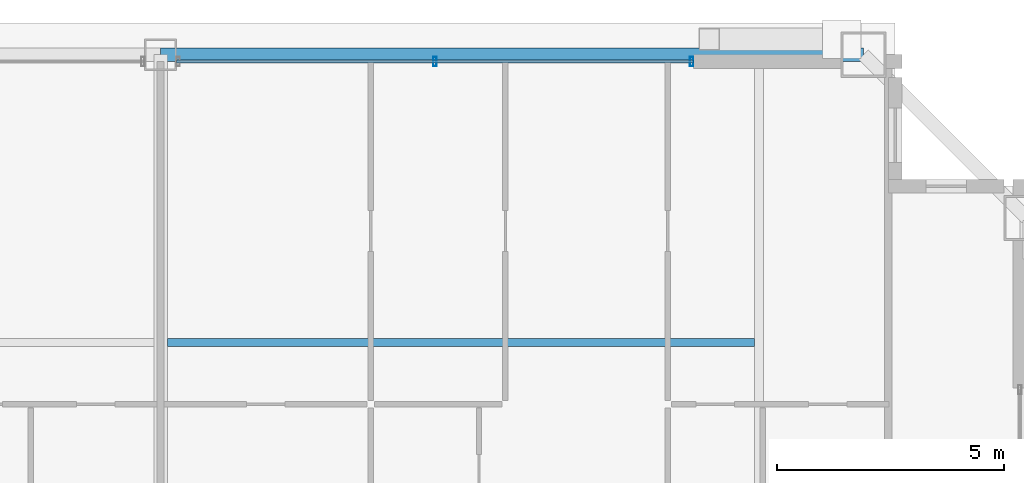
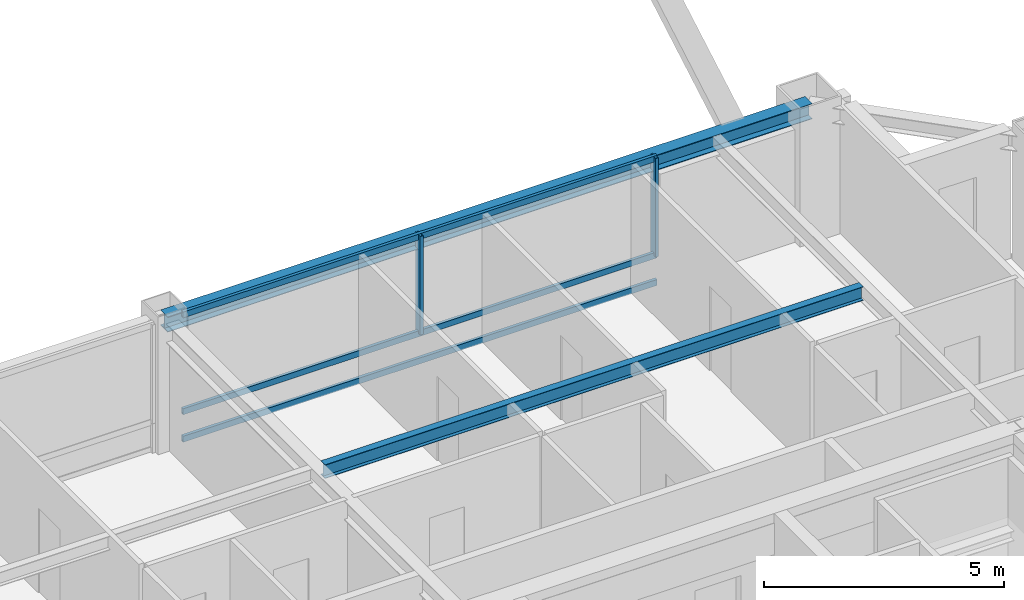
# One storey, part 18 of 35: 5 members, 2 beams, 1 element without a shape of its own.
"""IFC4 building model written with IfcOpenShell, lengths in metres."""

from ifc_helpers import new_model, si_unit, direction, frame, origin, origin_2d, place, context, subcontext, project, spatial, hollow_rectangle, i_section, extrude, source, transform, mapped, material, layer, layer_set, material_profile, profile_set, type_object, element, aggregate, save


model = new_model("IFC4")

# Units and contexts
model_context = context("Model", 3, precision=1e-05, world=origin(), true_north=direction((0.0, 1.0)))
body_context = subcontext(model_context, "Body", "Model", "MODEL_VIEW")
ifc_project = project(units=[si_unit("LENGTHUNIT", "METRE"), si_unit("AREAUNIT", "SQUARE_METRE"), si_unit("VOLUMEUNIT", "CUBIC_METRE"), si_unit("PLANEANGLEUNIT", "RADIAN"), si_unit("MASSUNIT", "GRAM", prefix="KILO"), si_unit("THERMODYNAMICTEMPERATUREUNIT", "KELVIN"), si_unit("POWERUNIT", "WATT")], contexts=[model_context])

# Site, building, storey
site_placement = place(None, origin())
site = spatial("IfcSite", under=ifc_project, at=site_placement, CompositionType="ELEMENT")
building_placement = place(site_placement, origin())
building = spatial("IfcBuilding", under=site, at=building_placement, Name="Yuzanri Waterfront Tower", CompositionType="ELEMENT")
storey_placement = place(building_placement, frame((0.0, 0.0, 335.699951171875)))
storey = spatial("IfcBuildingStorey", under=building, at=storey_placement, Name="L90", CompositionType="ELEMENT", Elevation=335.699951171875)

# Beams
ifc_material_1 = material(Name="Steel Q355B", Category="steel")
ifc_material_profile_1 = material_profile(ifc_material_1, i_section(OverallWidth=0.175048828125, OverallDepth=0.35009765625, WebThickness=0.007080078125, FlangeThickness=0.010986328125, at=origin_2d()), Name="HN 350x175x7x11")
ifc_profile_set_1 = profile_set([ifc_material_profile_1], Name="Steel Q355B")
beam_type_1 = type_object("IfcBeamType", Name="Floor Joist Q355B HN 350x175", PredefinedType="JOIST", material=ifc_profile_set_1)
shared_shape_1 = source(origin(), body_context, "Body", "SweptSolid", [
    extrude(i_section(OverallWidth=0.175048828125, OverallDepth=0.35009765625, WebThickness=0.007080078125, FlangeThickness=0.010986328125, at=origin_2d()), origin(), (0.0, 0.0, 1.0), 12.9501953125),
])
beam_1_placement = place(storey_placement, frame((37.14990234375, 38.550048828125, 3.0849609375), z_axis=(1.0, 0.0, 0.0), x_axis=(0.0, 1.0, 0.0)))
element("IfcBeam", 1, at=beam_1_placement, inside=storey, type_object=beam_type_1, Name="L90 North Bay Joist E", PredefinedType="JOIST", context=body_context, shape_type="MappedRepresentation", body=[
    mapped(shared_shape_1, transform((0.0, 0.0, 0.0), scale=1.0)),
])
ifc_material_2 = material(Name="Steel Q355B", Category="steel")
ifc_material_profile_2 = material_profile(ifc_material_2, i_section(OverallWidth=0.300048828125, OverallDepth=0.389892578125, WebThickness=0.010009765625, FlangeThickness=0.01611328125, at=origin_2d()), Name="HM 390x300x10x16")
ifc_profile_set_2 = profile_set([ifc_material_profile_2], Name="Steel Q355B")
beam_type_2 = type_object("IfcBeamType", Name="Perimeter Spandrel Q355B HM 390x300", PredefinedType="SPANDREL", material=ifc_profile_set_2)
shared_shape_2 = source(origin(), body_context, "Body", "SweptSolid", [
    extrude(i_section(OverallWidth=0.300048828125, OverallDepth=0.389892578125, WebThickness=0.010009765625, FlangeThickness=0.01611328125, at=origin_2d()), origin(), (0.0, 0.0, 1.0), 15.5),
])
beam_2_placement = place(storey_placement, frame((52.5, 44.89990234375, 3.06494140625), z_axis=(-1.0, 0.0, 0.0), x_axis=(0.0, -1.0, 0.0)))
element("IfcBeam", 2, at=beam_2_placement, inside=storey, type_object=beam_type_2, Name="L90 Perimeter Spandrel N3-N2", PredefinedType="SPANDREL", context=body_context, shape_type="MappedRepresentation", body=[
    mapped(shared_shape_2, transform((0.0, 0.0, 0.0), scale=1.0)),
])

# Curtain wall, members
ifc_material_3 = material(Name="Anodized Architectural Bronze", Category="metal")
ifc_layer = layer(ifc_material_3, 0.159912109375)
ifc_layer_set = layer_set([ifc_layer], Name="Anodized Architectural Bronze")
curtain_wall_type = type_object("IfcCurtainWallType", Name="Anodized Bronze High-Rise Penthouse High-Wind Unitized Curtain Wall 6900", PredefinedType="NOTDEFINED", material=ifc_layer_set)
curtain_wall_placement = place(storey_placement, origin())
curtain_wall = element("IfcCurtainWall", 3, at=curtain_wall_placement, inside=storey, type_object=curtain_wall_type, Name="L90 Curtain Wall CW-L90-NR", PredefinedType="NOTDEFINED")
ifc_material_4 = material(Name="Anodized Architectural Bronze", Category="metal")
ifc_material_profile_3 = material_profile(ifc_material_4, hollow_rectangle(XDim=0.074951171875, YDim=0.14990234375, WallThickness=0.00390625, at=origin_2d()), Name="CWT 75x150")
ifc_profile_set_3 = profile_set([ifc_material_profile_3], Name="Anodized Architectural Bronze")
member_type_1 = type_object("IfcMemberType", Name="Anodized Bronze Primary Curtain-Wall Transom 75x150", PredefinedType="USERDEFINED", material=ifc_profile_set_3)
shared_shape_3 = source(origin(), body_context, "Body", "SweptSolid", [
    extrude(hollow_rectangle(XDim=0.074951171875, YDim=0.14990234375, WallThickness=0.00390625, at=origin_2d()), origin(), (0.0, 0.0, 1.0), 11.39990234375),
])
member_1_placement = place(storey_placement, frame((37.35009765625, 44.75, 0.050048828125), z_axis=(1.0, 0.0, 0.0), x_axis=(0.0, 1.0, 0.0)))
member_1 = element("IfcMember", 4, at=member_1_placement, type_object=member_type_1, Name="CW-L90-NR Transom 1", ObjectType="TRANSOM", PredefinedType="USERDEFINED", context=body_context, shape_type="MappedRepresentation", body=[
    mapped(shared_shape_3, transform((0.0, 0.0, 0.0), scale=1.0)),
])
member_2_placement = place(storey_placement, frame((37.35009765625, 44.75, 0.75), z_axis=(1.0, 0.0, 0.0), x_axis=(0.0, 1.0, 0.0)))
member_2 = element("IfcMember", 5, at=member_2_placement, type_object=member_type_1, Name="CW-L90-NR Transom 2", ObjectType="TRANSOM", PredefinedType="USERDEFINED", context=body_context, shape_type="MappedRepresentation", body=[
    mapped(shared_shape_3, transform((0.0, 0.0, 0.0), scale=1.0)),
])
member_3_placement = place(storey_placement, frame((37.35009765625, 44.75, 3.2099609375), z_axis=(1.0, 0.0, 0.0), x_axis=(0.0, 1.0, 0.0)))
member_3 = element("IfcMember", 6, at=member_3_placement, type_object=member_type_1, Name="CW-L90-NR Transom 3", ObjectType="TRANSOM", PredefinedType="USERDEFINED", context=body_context, shape_type="MappedRepresentation", body=[
    mapped(shared_shape_3, transform((0.0, 0.0, 0.0), scale=1.0)),
])
ifc_material_5 = material(Name="Anodized Architectural Bronze", Category="metal")
ifc_material_profile_4 = material_profile(ifc_material_5, hollow_rectangle(XDim=0.074951171875, YDim=0.199951171875, WallThickness=0.00390625, at=origin_2d()), Name="CWM 75x200")
ifc_profile_set_4 = profile_set([ifc_material_profile_4], Name="Anodized Architectural Bronze")
member_type_2 = type_object("IfcMemberType", Name="Anodized Bronze Primary Curtain-Wall Mullion 75x200", PredefinedType="MULLION", material=ifc_profile_set_4)
shared_shape_4 = source(origin(), body_context, "Body", "SweptSolid", [
    extrude(hollow_rectangle(XDim=0.074951171875, YDim=0.199951171875, WallThickness=0.00390625, at=origin_2d()), origin(), (0.0, 0.0, 1.0), 2.508056640625),
])
member_4_placement = place(storey_placement, frame((43.050048828125, 44.75, 0.751953125), z_axis=(0.0, 0.0, 1.0), x_axis=(1.0, 0.0, 0.0)))
member_4 = element("IfcMember", 7, at=member_4_placement, type_object=member_type_2, Name="CW-L90-NR Upper Mullion 01", PredefinedType="MULLION", context=body_context, shape_type="MappedRepresentation", body=[
    mapped(shared_shape_4, transform((0.0, 0.0, 0.0), scale=1.0)),
])
member_5_placement = place(storey_placement, frame((48.7099609375, 44.75, 0.751953125), z_axis=(0.0, 0.0, 1.0), x_axis=(1.0, 0.0, 0.0)))
member_5 = element("IfcMember", 8, at=member_5_placement, type_object=member_type_2, Name="CW-L90-NR Upper Mullion 02", PredefinedType="MULLION", context=body_context, shape_type="MappedRepresentation", body=[
    mapped(shared_shape_4, transform((0.0, 0.0, 0.0), scale=1.0)),
])
aggregate(curtain_wall, [member_4, member_5, member_1, member_2, member_3])

save(model, "model.ifc")
